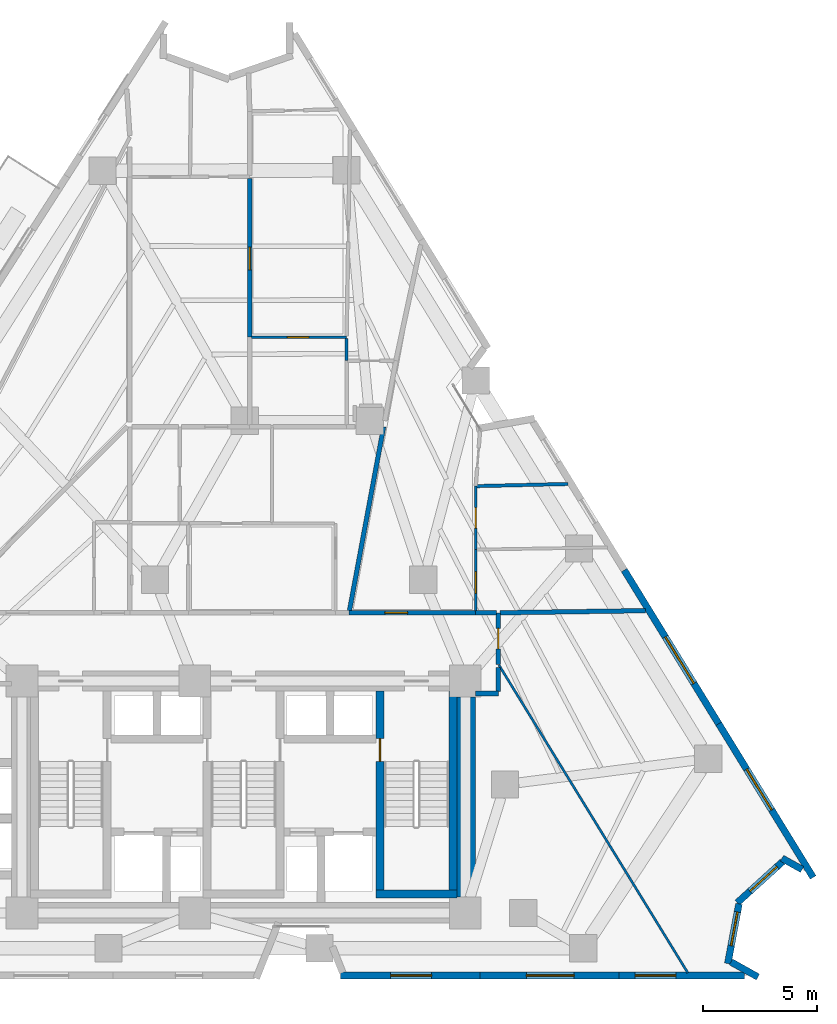
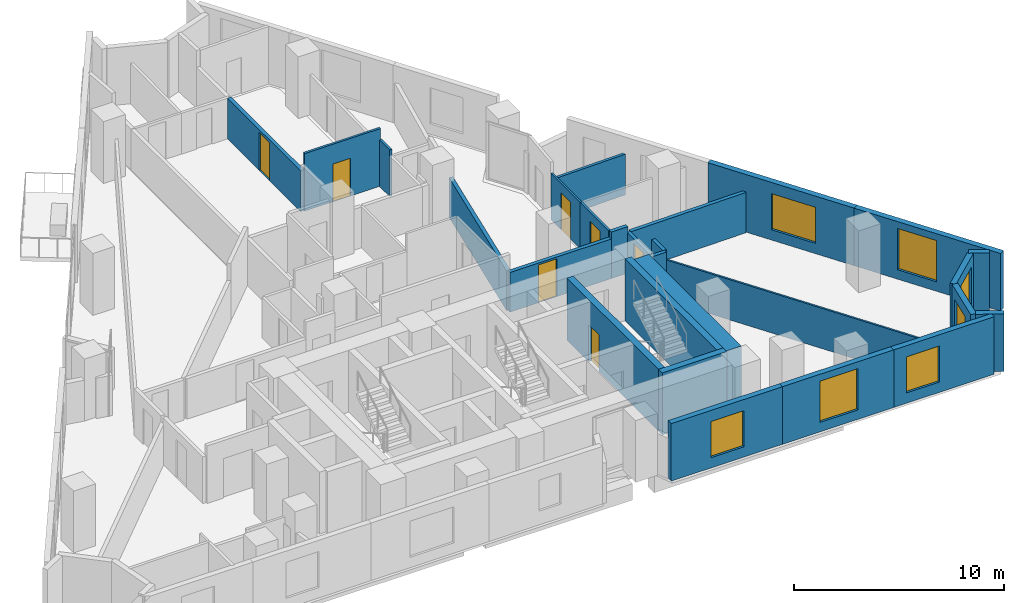
# One storey, part 8 of 13: 27 walls, 7 doors, 7 windows, 14 openings.
"""IFC4 building model written with IfcOpenShell, lengths in metres."""

from ifc_helpers import new_model, si_unit, direction, frame, frame_2d, origin, place, context, subcontext, project, spatial, rectangle, extrude, material, layer, layer_set, type_object, element, fill, save


model = new_model("IFC4")

# Units and contexts
model_context = context("Model", 3, precision=1e-05, world=origin(), true_north=direction((0.0, 1.0)))
body_context = subcontext(model_context, "Body", "Model", "MODEL_VIEW")
ifc_project = project(units=[si_unit("LENGTHUNIT", "METRE"), si_unit("AREAUNIT", "SQUARE_METRE"), si_unit("VOLUMEUNIT", "CUBIC_METRE"), si_unit("PLANEANGLEUNIT", "RADIAN"), si_unit("MASSUNIT", "GRAM", prefix="KILO")], contexts=[model_context])

# Site, building, storey
site_placement = place(None, origin())
site = spatial("IfcSite", under=ifc_project, at=site_placement, CompositionType="ELEMENT")
building_placement = place(site_placement, origin())
building = spatial("IfcBuilding", under=site, at=building_placement, Name="Almagre Mirador Tower", CompositionType="ELEMENT")
storey_placement = place(building_placement, frame((0.0, 0.0, 82.199951171875)))
storey = spatial("IfcBuildingStorey", under=building, at=storey_placement, Name="L20", CompositionType="ELEMENT", Elevation=82.199951171875)

# Wall, opening, window
ifc_material_1 = material(Name="Precast concrete C50/60", Category="concrete")
ifc_layer_1 = layer(ifc_material_1, 0.300048828125)
ifc_layer_set_1 = layer_set([ifc_layer_1], Name="Precast concrete C50/60")
wall_type_1 = type_object("IfcWallType", Name="WAL-EXT-300", PredefinedType="SOLIDWALL", material=ifc_layer_set_1)
wall_1_placement = place(storey_placement, frame((54.04052734375, 19.629150390625, 0.0), z_axis=(0.0, 0.0, 1.0), x_axis=(0.523661280051, -0.851926560083, 0.0)))
wall_1 = element("IfcWall", 1, at=wall_1_placement, inside=storey, type_object=wall_type_1, Name="L20 expressed almagre precast frame wall 16", PredefinedType="SOLIDWALL", context=body_context, shape_type="SweptSolid", body=[
    extrude(rectangle(XDim=7.93408203125, YDim=0.300048828125, at=frame_2d((3.967041015625, 0.0))), origin(), (0.0, 0.0, 1.0), 3.35009765625),
])
opening_1_placement = place(wall_1_placement, frame((3.449951171875, 0.0, 0.60009765625)))
opening_1 = element("IfcOpeningElement", 2, at=opening_1_placement, cuts=wall_1, Name="Opening WN-02", PredefinedType="OPENING", context=body_context, shape_type="SweptSolid", body=[
    extrude(rectangle(XDim=2.39990234375, YDim=2.10009765625, at=frame_2d((1.199951171875, 1.050048828125))), frame((0.0, 0.159902, 0.0), z_axis=(0.0, -1.0, 0.0), x_axis=(1.0, 0.0, 0.0)), (0.0, 0.0, 1.0), 0.320049),
])
ifc_material_2 = material(Name="Dark solar-control laminated hurricane glass", Category="glass")
window_type_1 = type_object("IfcWindowType", Name="WIN-2400X2100", PartitioningType="TRIPLE_PANEL_VERTICAL", PredefinedType="WINDOW", material=ifc_material_2)
window_1_placement = place(opening_1_placement, origin())
window_1 = element("IfcWindow", 3, at=window_1_placement, inside=storey, type_object=window_type_1, Name="L20 recessed hurricane window L20-RST-D", OverallHeight=2.10009765625, OverallWidth=2.39990234375, PartitioningType="SINGLE_PANEL", PredefinedType="WINDOW", context=body_context, shape_type="SweptSolid", body=[
    extrude(rectangle(XDim=2.39990234375, YDim=2.10009765625, at=frame_2d((1.199951171875, 1.050048828125))), frame((0.0, 0.030029296875, 0.0), z_axis=(0.0, -1.0, 0.0), x_axis=(1.0, 0.0, 0.0)), (0.0, 0.0, 1.0), 0.06005859375),
])
fill(opening_1, window_1)

wall_2_placement = place(storey_placement, frame((58.1953125, 12.869873046875, 0.0), z_axis=(0.0, 0.0, 1.0), x_axis=(0.52368361247, -0.851912832413, 0.0)))
wall_2 = element("IfcWall", 4, at=wall_2_placement, inside=storey, type_object=wall_type_1, Name="L20 expressed almagre precast frame wall 17", PredefinedType="SOLIDWALL", context=body_context, shape_type="SweptSolid", body=[
    extrude(rectangle(XDim=7.934326171875, YDim=0.300048828125, at=frame_2d((3.96728515625, 0.0))), origin(), (0.0, 0.0, 1.0), 3.35009765625),
])
opening_2_placement = place(wall_2_placement, frame((2.35009765625, 0.0, 0.550048828125)))
opening_2 = element("IfcOpeningElement", 5, at=opening_2_placement, cuts=wall_2, Name="Opening WN-05", PredefinedType="OPENING", context=body_context, shape_type="SweptSolid", body=[
    extrude(rectangle(XDim=2.10009765625, YDim=2.39990234375, at=frame_2d((1.050048828125, 1.199951171875))), frame((0.0, 0.159902, 0.0), z_axis=(0.0, -1.0, 0.0), x_axis=(1.0, 0.0, 0.0)), (0.0, 0.0, 1.0), 0.320049),
])
ifc_material_3 = material(Name="Dark solar-control laminated hurricane glass", Category="glass")
window_type_2 = type_object("IfcWindowType", Name="WIN-2100X2400", PartitioningType="DOUBLE_PANEL_VERTICAL", PredefinedType="WINDOW", material=ifc_material_3)
window_2_placement = place(opening_2_placement, origin())
window_2 = element("IfcWindow", 6, at=window_2_placement, inside=storey, type_object=window_type_2, Name="L20 recessed hurricane window L20-RST-D", OverallHeight=2.39990234375, OverallWidth=2.10009765625, PartitioningType="SINGLE_PANEL", PredefinedType="WINDOW", context=body_context, shape_type="SweptSolid", body=[
    extrude(rectangle(XDim=2.10009765625, YDim=2.39990234375, at=frame_2d((1.050048828125, 1.199951171875))), frame((0.0, 0.030029296875, 0.0), z_axis=(0.0, -1.0, 0.0), x_axis=(1.0, 0.0, 0.0)), (0.0, 0.0, 1.0), 0.06005859375),
])
fill(opening_2, window_2)

# Wall
wall_3_placement = place(storey_placement, frame((61.862548828125, 6.4619140625, 0.0), z_axis=(0.0, 0.0, 1.0), x_axis=(-0.872678236231, 0.488295705499, 0.0)))
element("IfcWall", 7, at=wall_3_placement, inside=storey, type_object=wall_type_1, Name="L20 expressed almagre precast frame wall 18", PredefinedType="SOLIDWALL", context=body_context, shape_type="SweptSolid", body=[
    extrude(rectangle(XDim=1.014892578125, YDim=0.300048828125, at=frame_2d((0.50732421875, 0.0))), origin(), (0.0, 0.0, 1.0), 3.35009765625),
])

# Wall, opening, window
wall_4_placement = place(storey_placement, frame((61.002685546875, 6.8017578125, 0.0), z_axis=(0.0, 0.0, 1.0), x_axis=(-0.741163448221, -0.671324618215, 0.0)))
wall_4 = element("IfcWall", 8, at=wall_4_placement, inside=storey, type_object=wall_type_1, Name="L20 expressed almagre precast frame wall 19", PredefinedType="SOLIDWALL", context=body_context, shape_type="SweptSolid", body=[
    extrude(rectangle(XDim=2.688232421875, YDim=0.300048828125, at=frame_2d((1.34423828125, 0.0))), origin(), (0.0, 0.0, 1.0), 3.35009765625),
])
opening_3_placement = place(wall_4_placement, frame((0.330078125, 0.0, 0.550048828125)))
opening_3 = element("IfcOpeningElement", 9, at=opening_3_placement, cuts=wall_4, Name="Opening WN-06", PredefinedType="OPENING", context=body_context, shape_type="SweptSolid", body=[
    extrude(rectangle(XDim=1.60009765625, YDim=2.199951171875, at=frame_2d((0.800048828125, 1.10009765625))), frame((0.0, 0.159902, 0.0), z_axis=(0.0, -1.0, 0.0), x_axis=(1.0, 0.0, 0.0)), (0.0, 0.0, 1.0), 0.320049),
])
ifc_material_4 = material(Name="Dark solar-control laminated hurricane glass", Category="glass")
window_type_3 = type_object("IfcWindowType", Name="WIN-1600X2200", PartitioningType="DOUBLE_PANEL_VERTICAL", PredefinedType="WINDOW", material=ifc_material_4)
window_3_placement = place(opening_3_placement, origin())
window_3 = element("IfcWindow", 10, at=window_3_placement, inside=storey, type_object=window_type_3, Name="L20 recessed hurricane window L20-RST-D", OverallHeight=2.199951171875, OverallWidth=1.60009765625, PartitioningType="SINGLE_PANEL", PredefinedType="WINDOW", context=body_context, shape_type="SweptSolid", body=[
    extrude(rectangle(XDim=1.60009765625, YDim=2.199951171875, at=frame_2d((0.800048828125, 1.10009765625))), frame((0.0, 0.030029296875, 0.0), z_axis=(0.0, -1.0, 0.0), x_axis=(1.0, 0.0, 0.0)), (0.0, 0.0, 1.0), 0.06005859375),
])
fill(opening_3, window_3)

wall_5_placement = place(storey_placement, frame((59.08740234375, 4.948486328125, 0.0), z_axis=(0.0, 0.0, 1.0), x_axis=(-0.183786629236, -0.982966161632, 0.0)))
wall_5 = element("IfcWall", 11, at=wall_5_placement, inside=storey, type_object=wall_type_1, Name="L20 expressed almagre precast frame wall 20", PredefinedType="SOLIDWALL", context=body_context, shape_type="SweptSolid", body=[
    extrude(rectangle(XDim=2.672607421875, YDim=0.300048828125, at=frame_2d((1.33642578125, 0.0))), origin(), (0.0, 0.0, 1.0), 3.35009765625),
])
opening_4_placement = place(wall_5_placement, frame((0.364990234375, 0.0, 0.60009765625)))
opening_4 = element("IfcOpeningElement", 12, at=opening_4_placement, cuts=wall_5, Name="Opening WN-03", PredefinedType="OPENING", context=body_context, shape_type="SweptSolid", body=[
    extrude(rectangle(XDim=1.5, YDim=2.10009765625, at=frame_2d((0.75, 1.050048828125))), frame((0.0, 0.159902, 0.0), z_axis=(0.0, -1.0, 0.0), x_axis=(1.0, 0.0, 0.0)), (0.0, 0.0, 1.0), 0.320049),
])
ifc_material_5 = material(Name="Dark solar-control laminated hurricane glass", Category="glass")
window_type_4 = type_object("IfcWindowType", Name="WIN-1500X2100", PartitioningType="DOUBLE_PANEL_VERTICAL", PredefinedType="WINDOW", material=ifc_material_5)
window_4_placement = place(opening_4_placement, origin())
window_4 = element("IfcWindow", 13, at=window_4_placement, inside=storey, type_object=window_type_4, Name="L20 recessed hurricane window L20-RST-D", OverallHeight=2.10009765625, OverallWidth=1.5, PartitioningType="SINGLE_PANEL", PredefinedType="WINDOW", context=body_context, shape_type="SweptSolid", body=[
    extrude(rectangle(XDim=1.5, YDim=2.10009765625, at=frame_2d((0.75, 1.050048828125))), frame((0.0, 0.030029296875, 0.0), z_axis=(0.0, -1.0, 0.0), x_axis=(1.0, 0.0, 0.0)), (0.0, 0.0, 1.0), 0.06005859375),
])
fill(opening_4, window_4)

# Wall
wall_6_placement = place(storey_placement, frame((58.7353515625, 2.3955078125, 0.0), z_axis=(0.0, 0.0, 1.0), x_axis=(0.872747775204, -0.488171405221, 0.0)))
element("IfcWall", 14, at=wall_6_placement, inside=storey, type_object=wall_type_1, Name="L20 expressed almagre precast frame wall 21", PredefinedType="SOLIDWALL", context=body_context, shape_type="SweptSolid", body=[
    extrude(rectangle(XDim=1.35986328125, YDim=0.300048828125, at=frame_2d((0.679931640625, 0.0))), origin(), (0.0, 0.0, 1.0), 3.35009765625),
])

# Wall, opening, window
wall_7_placement = place(storey_placement, frame((59.340087890625, 1.800048828125, 0.0), z_axis=(0.0, 0.0, 1.0), x_axis=(-1.0, 0.0, 0.0)))
wall_7 = element("IfcWall", 15, at=wall_7_placement, inside=storey, type_object=wall_type_1, Name="L20 expressed almagre precast frame wall 22", PredefinedType="SOLIDWALL", context=body_context, shape_type="SweptSolid", body=[
    extrude(rectangle(XDim=5.524169921875, YDim=0.300048828125, at=frame_2d((2.76220703125, 0.0))), origin(), (0.0, 0.0, 1.0), 3.35009765625),
])
opening_5_placement = place(wall_7_placement, frame((3.02490234375, 0.0, 0.60009765625)))
opening_5 = element("IfcOpeningElement", 16, at=opening_5_placement, cuts=wall_7, Name="Opening WN-01", PredefinedType="OPENING", context=body_context, shape_type="SweptSolid", body=[
    extrude(rectangle(XDim=1.800048828125, YDim=2.10009765625, at=frame_2d((0.89990234375, 1.050048828125))), frame((0.0, 0.159902, 0.0), z_axis=(0.0, -1.0, 0.0), x_axis=(1.0, 0.0, 0.0)), (0.0, 0.0, 1.0), 0.320049),
])
ifc_material_6 = material(Name="Dark solar-control laminated hurricane glass", Category="glass")
window_type_5 = type_object("IfcWindowType", Name="WIN-1800X2100", PartitioningType="DOUBLE_PANEL_VERTICAL", PredefinedType="WINDOW", material=ifc_material_6)
window_5_placement = place(opening_5_placement, origin())
window_5 = element("IfcWindow", 17, at=window_5_placement, inside=storey, type_object=window_type_5, Name="L20 recessed hurricane window L20-RST-C", OverallHeight=2.10009765625, OverallWidth=1.800048828125, PartitioningType="SINGLE_PANEL", PredefinedType="WINDOW", context=body_context, shape_type="SweptSolid", body=[
    extrude(rectangle(XDim=1.800048828125, YDim=2.10009765625, at=frame_2d((0.89990234375, 1.050048828125))), frame((0.0, 0.030029296875, 0.0), z_axis=(0.0, -1.0, 0.0), x_axis=(1.0, 0.0, 0.0)), (0.0, 0.0, 1.0), 0.06005859375),
])
fill(opening_5, window_5)

wall_8_placement = place(storey_placement, frame((53.81591796875, 1.800048828125, 0.0), z_axis=(0.0, 0.0, 1.0), x_axis=(-1.0, 0.0, 0.0)))
wall_8 = element("IfcWall", 18, at=wall_8_placement, inside=storey, type_object=wall_type_1, Name="L20 expressed almagre precast frame wall 23", PredefinedType="SOLIDWALL", context=body_context, shape_type="SweptSolid", body=[
    extrude(rectangle(XDim=6.1240234375, YDim=0.300048828125, at=frame_2d((3.06201171875, 0.0))), origin(), (0.0, 0.0, 1.0), 3.35009765625),
])
opening_6_placement = place(wall_8_placement, frame((1.97509765625, 0.0, 0.550048828125)))
opening_6 = element("IfcOpeningElement", 19, at=opening_6_placement, cuts=wall_8, Name="Opening WN-05", PredefinedType="OPENING", context=body_context, shape_type="SweptSolid", body=[
    extrude(rectangle(XDim=2.10009765625, YDim=2.39990234375, at=frame_2d((1.050048828125, 1.199951171875))), frame((0.0, 0.159902, 0.0), z_axis=(0.0, -1.0, 0.0), x_axis=(1.0, 0.0, 0.0)), (0.0, 0.0, 1.0), 0.320049),
])
window_6_placement = place(opening_6_placement, origin())
window_6 = element("IfcWindow", 20, at=window_6_placement, inside=storey, type_object=window_type_2, Name="L20 recessed hurricane window L20-RST-C", OverallHeight=2.39990234375, OverallWidth=2.10009765625, PartitioningType="SINGLE_PANEL", PredefinedType="WINDOW", context=body_context, shape_type="SweptSolid", body=[
    extrude(rectangle(XDim=2.10009765625, YDim=2.39990234375, at=frame_2d((1.050048828125, 1.199951171875))), frame((0.0, 0.030029296875, 0.0), z_axis=(0.0, -1.0, 0.0), x_axis=(1.0, 0.0, 0.0)), (0.0, 0.0, 1.0), 0.06005859375),
])
fill(opening_6, window_6)

wall_9_placement = place(storey_placement, frame((47.69189453125, 1.800048828125, 0.0), z_axis=(0.0, 0.0, 1.0), x_axis=(-1.0, 0.0, 0.0)))
wall_9 = element("IfcWall", 21, at=wall_9_placement, inside=storey, type_object=wall_type_1, Name="L20 expressed almagre precast frame wall 24", PredefinedType="SOLIDWALL", context=body_context, shape_type="SweptSolid", body=[
    extrude(rectangle(XDim=6.123779296875, YDim=0.300048828125, at=frame_2d((3.06201171875, 0.0))), origin(), (0.0, 0.0, 1.0), 3.35009765625),
])
opening_7_placement = place(wall_9_placement, frame((2.125, 0.0, 0.60009765625)))
opening_7 = element("IfcOpeningElement", 22, at=opening_7_placement, cuts=wall_9, Name="Opening WN-01", PredefinedType="OPENING", context=body_context, shape_type="SweptSolid", body=[
    extrude(rectangle(XDim=1.800048828125, YDim=2.10009765625, at=frame_2d((0.89990234375, 1.050048828125))), frame((0.0, 0.159902, 0.0), z_axis=(0.0, -1.0, 0.0), x_axis=(1.0, 0.0, 0.0)), (0.0, 0.0, 1.0), 0.320049),
])
window_7_placement = place(opening_7_placement, origin())
window_7 = element("IfcWindow", 23, at=window_7_placement, inside=storey, type_object=window_type_5, Name="L20 recessed hurricane window L20-RST-C", OverallHeight=2.10009765625, OverallWidth=1.800048828125, PartitioningType="SINGLE_PANEL", PredefinedType="WINDOW", context=body_context, shape_type="SweptSolid", body=[
    extrude(rectangle(XDim=1.800048828125, YDim=2.10009765625, at=frame_2d((0.89990234375, 1.050048828125))), frame((0.0, 0.030029296875, 0.0), z_axis=(0.0, -1.0, 0.0), x_axis=(1.0, 0.0, 0.0)), (0.0, 0.0, 1.0), 0.06005859375),
])
fill(opening_7, window_7)

# Wall
ifc_material_7 = material(Name="Gypsum acoustic stud partition", Category="other")
ifc_layer_2 = layer(ifc_material_7, 0.10009765625)
ifc_layer_set_2 = layer_set([ifc_layer_2], Name="Gypsum acoustic stud partition")
wall_type_2 = type_object("IfcWallType", Name="WAL-PRT-100-CLS", PredefinedType="PARTITIONING", material=ifc_layer_set_2)
wall_10_placement = place(storey_placement, frame((48.52880859375, 15.453125, 0.0), z_axis=(0.0, 0.0, 1.0), x_axis=(0.52306290803, -0.852294077325, 0.0)))
element("IfcWall", 24, at=wall_10_placement, inside=storey, type_object=wall_type_2, Name="L20 interior partition 023", PredefinedType="PARTITIONING", context=body_context, shape_type="SweptSolid", body=[
    extrude(rectangle(XDim=15.885498046875, YDim=0.10009765625, at=frame_2d((7.94287109375, 0.0))), origin(), (0.0, 0.0, 1.0), 2.344970703125),
])

# Wall, opening, door
wall_11_placement = place(storey_placement, frame((47.510009765625, 20.530029296875, 0.0), z_axis=(0.0, 0.0, 1.0), x_axis=(0.0, 1.0, 0.0)))
wall_11 = element("IfcWall", 25, at=wall_11_placement, inside=storey, type_object=wall_type_2, Name="L20 interior partition 053", PredefinedType="PARTITIONING", context=body_context, shape_type="SweptSolid", body=[
    extrude(rectangle(XDim=2.7900390625, YDim=0.10009765625, at=frame_2d((1.39501953125, 0.0))), origin(), (0.0, 0.0, 1.0), 2.708984375),
])
opening_8_placement = place(wall_11_placement, frame((0.945068359375, 0.0, 0.0)))
opening_8 = element("IfcOpeningElement", 26, at=opening_8_placement, cuts=wall_11, Name="Opening UD-02", PredefinedType="OPENING", context=body_context, shape_type="SweptSolid", body=[
    extrude(rectangle(XDim=0.89990234375, YDim=2.14990234375, at=frame_2d((0.449951171875, 1.074951171875))), frame((0.0, 0.060049, 0.0), z_axis=(0.0, -1.0, 0.0), x_axis=(1.0, 0.0, 0.0)), (0.0, 0.0, 1.0), 0.120098),
])
ifc_material_8 = material(Name="Solid American walnut timber", Category="wood")
door_type_1 = type_object("IfcDoorType", Name="DOR-UNR-900X2150", OperationType="NOTDEFINED", PredefinedType="DOOR", material=ifc_material_8)
door_1_placement = place(opening_8_placement, origin())
door_1 = element("IfcDoor", 27, at=door_1_placement, inside=storey, type_object=door_type_1, Name="DR-0695 L20 interior door L20-UJ-LV to L20-UJ-MB", OperationType="SINGLE_SWING_LEFT", OverallHeight=2.14990234375, OverallWidth=0.89990234375, PredefinedType="DOOR", context=body_context, shape_type="SweptSolid", body=[
    extrude(rectangle(XDim=0.89990234375, YDim=2.14990234375, at=frame_2d((0.449951171875, 1.074951171875))), frame((0.0, 0.02490234375, 0.0), z_axis=(0.0, -1.0, 0.0), x_axis=(1.0, 0.0, 0.0)), (0.0, 0.0, 1.0), 0.050048828125),
])
fill(opening_8, door_1)

ifc_material_9 = material(Name="Gypsum acoustic stud partition", Category="other")
ifc_layer_3 = layer(ifc_material_9, 0.125)
ifc_layer_set_3 = layer_set([ifc_layer_3], Name="Gypsum acoustic stud partition")
wall_type_3 = type_object("IfcWallType", Name="WAL-PRT-125-UTL", PredefinedType="PARTITIONING", material=ifc_layer_set_3)
wall_12_placement = place(storey_placement, frame((47.510009765625, 17.8349609375, 0.0), z_axis=(0.0, 0.0, 1.0), x_axis=(0.0, 1.0, 0.0)))
wall_12 = element("IfcWall", 28, at=wall_12_placement, inside=storey, type_object=wall_type_3, Name="L20 interior partition 052", PredefinedType="PARTITIONING", context=body_context, shape_type="SweptSolid", body=[
    extrude(rectangle(XDim=2.695068359375, YDim=0.125, at=frame_2d((1.34765625, 0.0))), origin(), (0.0, 0.0, 1.0), 2.708984375),
])
opening_9_placement = place(wall_12_placement, frame((0.7705078125, 0.0, 0.0)))
opening_9 = element("IfcOpeningElement", 29, at=opening_9_placement, cuts=wall_12, Name="Opening UD-01", PredefinedType="OPENING", context=body_context, shape_type="SweptSolid", body=[
    extrude(rectangle(XDim=0.949951171875, YDim=2.199951171875, at=frame_2d((0.47509765625, 1.10009765625))), frame((0.0, 0.0725, 0.0), z_axis=(0.0, -1.0, 0.0), x_axis=(1.0, 0.0, 0.0)), (0.0, 0.0, 1.0), 0.145),
])
ifc_material_10 = material(Name="Solid American walnut timber", Category="wood")
door_type_2 = type_object("IfcDoorType", Name="DOR-UNR-950X2200", OperationType="NOTDEFINED", PredefinedType="DOOR", material=ifc_material_10)
door_2_placement = place(opening_9_placement, origin())
door_2 = element("IfcDoor", 30, at=door_2_placement, inside=storey, type_object=door_type_2, Name="DR-0693 L20 interior door L20-UJ-LV to L20-UJ-KT", OperationType="SINGLE_SWING_LEFT", OverallHeight=2.199951171875, OverallWidth=0.949951171875, PredefinedType="DOOR", context=body_context, shape_type="SweptSolid", body=[
    extrude(rectangle(XDim=0.949951171875, YDim=2.199951171875, at=frame_2d((0.47509765625, 1.10009765625))), frame((0.0, 0.02490234375, 0.0), z_axis=(0.0, -1.0, 0.0), x_axis=(1.0, 0.0, 0.0)), (0.0, 0.0, 1.0), 0.050048828125),
])
fill(opening_9, door_2)

wall_13_placement = place(storey_placement, frame((37.655029296875, 29.8701171875, 0.0), z_axis=(0.0, 0.0, 1.0), x_axis=(1.0, 0.0, 0.0)))
wall_13 = element("IfcWall", 31, at=wall_13_placement, inside=storey, type_object=wall_type_3, Name="L20 interior partition 066", PredefinedType="PARTITIONING", context=body_context, shape_type="SweptSolid", body=[
    extrude(rectangle(XDim=4.175048828125, YDim=0.125, at=frame_2d((2.08740234375, 0.0))), origin(), (0.0, 0.0, 1.0), 3.35009765625),
])
opening_10_placement = place(wall_13_placement, frame((1.570068359375, 0.0, 0.0)))
opening_10 = element("IfcOpeningElement", 32, at=opening_10_placement, cuts=wall_13, Name="Opening UD-01", PredefinedType="OPENING", context=body_context, shape_type="SweptSolid", body=[
    extrude(rectangle(XDim=0.949951171875, YDim=2.199951171875, at=frame_2d((0.47509765625, 1.10009765625))), frame((0.0, 0.0725, 0.0), z_axis=(0.0, -1.0, 0.0), x_axis=(1.0, 0.0, 0.0)), (0.0, 0.0, 1.0), 0.145),
])
door_3_placement = place(opening_10_placement, origin())
door_3 = element("IfcDoor", 33, at=door_3_placement, inside=storey, type_object=door_type_2, Name="DR-0698 L20 interior door L20-UL-LV to L20-UL-KT", OperationType="SINGLE_SWING_RIGHT", OverallHeight=2.199951171875, OverallWidth=0.949951171875, PredefinedType="DOOR", context=body_context, shape_type="SweptSolid", body=[
    extrude(rectangle(XDim=0.949951171875, YDim=2.199951171875, at=frame_2d((0.47509765625, 1.10009765625))), frame((0.0, 0.02490234375, 0.0), z_axis=(0.0, -1.0, 0.0), x_axis=(1.0, 0.0, 0.0)), (0.0, 0.0, 1.0), 0.050048828125),
])
fill(opening_10, door_3)

# Walls
wall_14_placement = place(storey_placement, frame((41.830078125, 28.840087890625, 0.0), z_axis=(0.0, 0.0, 1.0), x_axis=(0.0, 1.0, 0.0)))
element("IfcWall", 34, at=wall_14_placement, inside=storey, type_object=wall_type_3, Name="L20 interior partition 068", PredefinedType="PARTITIONING", context=body_context, shape_type="SweptSolid", body=[
    extrude(rectangle(XDim=0.982421875, YDim=0.125, at=frame_2d((0.4912109375, 0.0))), origin(), (0.0, 0.0, 1.0), 2.708984375),
])
ifc_material_11 = material(Name="Gypsum acoustic stud partition", Category="other")
ifc_layer_4 = layer(ifc_material_11, 0.14990234375)
ifc_layer_set_4 = layer_set([ifc_layer_4], Name="Gypsum acoustic stud partition")
wall_type_4 = type_object("IfcWallType", Name="WAL-PRT-150-STD", PredefinedType="PARTITIONING", material=ifc_layer_set_4)
wall_15_placement = place(storey_placement, frame((47.570068359375, 23.3212890625, 0.0), z_axis=(0.0, 0.0, 1.0), x_axis=(0.999720663017, 0.023634634246, 0.0)))
element("IfcWall", 35, at=wall_15_placement, inside=storey, type_object=wall_type_4, Name="L20 interior partition 056", PredefinedType="PARTITIONING", context=body_context, shape_type="SweptSolid", body=[
    extrude(rectangle(XDim=4.008056640625, YDim=0.14990234375, at=frame_2d((2.00390625, 0.0))), origin(), (0.0, 0.0, 1.0), 2.3701171875),
])
ifc_material_12 = material(Name="Gypsum acoustic stud partition", Category="other")
ifc_layer_5 = layer(ifc_material_12, 0.199951171875)
ifc_layer_set_5 = layer_set([ifc_layer_5], Name="Gypsum acoustic stud partition")
wall_type_5 = type_object("IfcWallType", Name="WAL-PRT-200-EI60", PredefinedType="PARTITIONING", material=ifc_layer_set_5)
wall_16_placement = place(storey_placement, frame((47.5, 14.199951171875, 0.0), z_axis=(0.0, 0.0, 1.0), x_axis=(1.0, 0.0, 0.0)))
element("IfcWall", 36, at=wall_16_placement, inside=storey, type_object=wall_type_5, Name="L20 interior partition 003", PredefinedType="PARTITIONING", context=body_context, shape_type="SweptSolid", body=[
    extrude(rectangle(XDim=1.0, YDim=0.199951171875, at=frame_2d((0.5, 0.0))), origin(), (0.0, 0.0, 1.0), 3.35009765625),
])
wall_17_placement = place(storey_placement, frame((48.5, 14.284912109375, 0.0), z_axis=(0.0, 0.0, 1.0), x_axis=(0.0, 1.0, 0.0)))
element("IfcWall", 37, at=wall_17_placement, inside=storey, type_object=wall_type_5, Name="L20 interior partition 004", PredefinedType="PARTITIONING", context=body_context, shape_type="SweptSolid", body=[
    extrude(rectangle(XDim=1.065185546875, YDim=0.199951171875, at=frame_2d((0.53271484375, 0.0))), origin(), (0.0, 0.0, 1.0), 3.35009765625),
])

# Wall, opening, door
wall_18_placement = place(storey_placement, frame((48.5, 15.469970703125, 0.0), z_axis=(0.0, 0.0, 1.0), x_axis=(0.0, 1.0, 0.0)))
wall_18 = element("IfcWall", 38, at=wall_18_placement, inside=storey, type_object=wall_type_5, Name="L20 interior partition 005", PredefinedType="PARTITIONING", context=body_context, shape_type="SweptSolid", body=[
    extrude(rectangle(XDim=2.280029296875, YDim=0.199951171875, at=frame_2d((1.14013671875, 0.0))), origin(), (0.0, 0.0, 1.0), 2.344970703125),
])
opening_11_placement = place(wall_18_placement, frame((0.68994140625, 0.0, 0.0)))
opening_11 = element("IfcOpeningElement", 39, at=opening_11_placement, cuts=wall_18, Name="Opening ID-03", PredefinedType="OPENING", context=body_context, shape_type="SweptSolid", body=[
    extrude(rectangle(XDim=0.89990234375, YDim=2.10009765625, at=frame_2d((0.449951171875, 1.050048828125))), frame((0.0, 0.110098, 0.0), z_axis=(0.0, -1.0, 0.0), x_axis=(1.0, 0.0, 0.0)), (0.0, 0.0, 1.0), 0.219951),
])
ifc_material_13 = material(Name="Fire-rated hollow steel", Category="steel")
door_type_3 = type_object("IfcDoorType", Name="DOR-FD60-900X2100", OperationType="NOTDEFINED", PredefinedType="DOOR", material=ifc_material_13)
door_4_placement = place(opening_11_placement, origin())
door_4 = element("IfcDoor", 40, at=door_4_placement, inside=storey, type_object=door_type_3, Name="DR-0681 L20 interior door L20-RCOR to L20-RST-D", OperationType="SINGLE_SWING_LEFT", OverallHeight=2.10009765625, OverallWidth=0.89990234375, PredefinedType="DOOR", context=body_context, shape_type="SweptSolid", body=[
    extrude(rectangle(XDim=0.89990234375, YDim=2.10009765625, at=frame_2d((0.449951171875, 1.050048828125))), frame((0.0, 0.02490234375, 0.0), z_axis=(0.0, -1.0, 0.0), x_axis=(1.0, 0.0, 0.0)), (0.0, 0.0, 1.0), 0.050048828125),
])
fill(opening_11, door_4)

wall_19_placement = place(storey_placement, frame((47.510009765625, 17.75, 0.0), z_axis=(0.0, 0.0, 1.0), x_axis=(-1.0, 0.0, 0.0)))
wall_19 = element("IfcWall", 41, at=wall_19_placement, inside=storey, type_object=wall_type_5, Name="L20 interior partition 013", PredefinedType="PARTITIONING", context=body_context, shape_type="SweptSolid", body=[
    extrude(rectangle(XDim=5.570068359375, YDim=0.199951171875, at=frame_2d((2.78515625, 0.0))), origin(), (0.0, 0.0, 1.0), 2.30908203125),
])
opening_12_placement = place(wall_19_placement, frame((3.0, 0.0, 0.0)))
opening_12 = element("IfcOpeningElement", 42, at=opening_12_placement, cuts=wall_19, Name="Opening ID-01", PredefinedType="OPENING", context=body_context, shape_type="SweptSolid", body=[
    extrude(rectangle(XDim=1.0, YDim=2.199951171875, at=frame_2d((0.5, 1.10009765625))), frame((0.0, 0.110098, 0.0), z_axis=(0.0, -1.0, 0.0), x_axis=(1.0, 0.0, 0.0)), (0.0, 0.0, 1.0), 0.219951),
])
ifc_material_14 = material(Name="Fire-rated walnut timber", Category="wood")
door_type_4 = type_object("IfcDoorType", Name="DOR-FD60-1000X2200", OperationType="NOTDEFINED", PredefinedType="DOOR", material=ifc_material_14)
door_5_placement = place(opening_12_placement, origin())
door_5 = element("IfcDoor", 43, at=door_5_placement, inside=storey, type_object=door_type_4, Name="DR-0692 L20 interior door L20-RCOR to L20-UJ-LV", OperationType="SINGLE_SWING_RIGHT", OverallHeight=2.199951171875, OverallWidth=1.0, PredefinedType="DOOR", context=body_context, shape_type="SweptSolid", body=[
    extrude(rectangle(XDim=1.0, YDim=2.199951171875, at=frame_2d((0.5, 1.10009765625))), frame((0.0, 0.02490234375, 0.0), z_axis=(0.0, -1.0, 0.0), x_axis=(1.0, 0.0, 0.0)), (0.0, 0.0, 1.0), 0.050048828125),
])
fill(opening_12, door_5)

# Walls
wall_20_placement = place(storey_placement, frame((48.4150390625, 17.75, 0.0), z_axis=(0.0, 0.0, 1.0), x_axis=(-1.0, 0.0, 0.0)))
element("IfcWall", 44, at=wall_20_placement, inside=storey, type_object=wall_type_5, Name="L20 interior partition 014", PredefinedType="PARTITIONING", context=body_context, shape_type="SweptSolid", body=[
    extrude(rectangle(XDim=0.905029296875, YDim=0.199951171875, at=frame_2d((0.45263671875, 0.0))), origin(), (0.0, 0.0, 1.0), 2.708984375),
])
wall_21_placement = place(storey_placement, frame((54.98291015625, 17.843994140625, 0.0), z_axis=(0.0, 0.0, 1.0), x_axis=(-0.999894330503, -0.014537118977, 0.0)))
element("IfcWall", 45, at=wall_21_placement, inside=storey, type_object=wall_type_5, Name="L20 interior partition 024", PredefinedType="PARTITIONING", context=body_context, shape_type="SweptSolid", body=[
    extrude(rectangle(XDim=6.398681640625, YDim=0.199951171875, at=frame_2d((3.19921875, 0.0))), origin(), (0.0, 0.0, 1.0), 2.344970703125),
])
wall_22_placement = place(storey_placement, frame((41.95556640625, 17.83349609375, 0.0), z_axis=(0.0, 0.0, 1.0), x_axis=(0.182682671213, 0.98317192883, 0.0)))
element("IfcWall", 46, at=wall_22_placement, inside=storey, type_object=wall_type_5, Name="L20 interior partition 044", PredefinedType="PARTITIONING", context=body_context, shape_type="SweptSolid", body=[
    extrude(rectangle(XDim=8.235107421875, YDim=0.199951171875, at=frame_2d((4.11767578125, 0.0))), origin(), (0.0, 0.0, 1.0), 2.30908203125),
])

# Wall, opening, door
wall_23_placement = place(storey_placement, frame((37.570068359375, 29.8701171875, 0.0), z_axis=(0.0, 0.0, 1.0), x_axis=(0.0, 1.0, 0.0)))
wall_23 = element("IfcWall", 47, at=wall_23_placement, inside=storey, type_object=wall_type_5, Name="L20 interior partition 060", PredefinedType="PARTITIONING", context=body_context, shape_type="SweptSolid", body=[
    extrude(rectangle(XDim=6.989990234375, YDim=0.199951171875, at=frame_2d((3.4951171875, 0.0))), origin(), (0.0, 0.0, 1.0), 2.3701171875),
])
opening_13_placement = place(wall_23_placement, frame((2.966064453125, 0.0, 0.0)))
opening_13 = element("IfcOpeningElement", 48, at=opening_13_placement, cuts=wall_23, Name="Opening ID-01", PredefinedType="OPENING", context=body_context, shape_type="SweptSolid", body=[
    extrude(rectangle(XDim=1.0, YDim=2.199951171875, at=frame_2d((0.5, 1.10009765625))), frame((0.0, 0.110098, 0.0), z_axis=(0.0, -1.0, 0.0), x_axis=(1.0, 0.0, 0.0)), (0.0, 0.0, 1.0), 0.219951),
])
door_6_placement = place(opening_13_placement, origin())
door_6 = element("IfcDoor", 49, at=door_6_placement, inside=storey, type_object=door_type_4, Name="DR-0703 L20 interior door L20-UK-ST to L20-UL-LV", OperationType="SINGLE_SWING_LEFT", OverallHeight=2.199951171875, OverallWidth=1.0, PredefinedType="DOOR", context=body_context, shape_type="SweptSolid", body=[
    extrude(rectangle(XDim=1.0, YDim=2.199951171875, at=frame_2d((0.5, 1.10009765625))), frame((0.0, 0.02490234375, 0.0), z_axis=(0.0, -1.0, 0.0), x_axis=(1.0, 0.0, 0.0)), (0.0, 0.0, 1.0), 0.050048828125),
])
fill(opening_13, door_6)

ifc_material_15 = material(Name="Concrete C60/75", Category="concrete")
ifc_layer_6 = layer(ifc_material_15, 0.35009765625)
ifc_layer_set_6 = layer_set([ifc_layer_6], Name="Concrete C60/75")
wall_type_6 = type_object("IfcWallType", Name="WAL-SHF-350", PredefinedType="SOLIDWALL", material=ifc_layer_set_6)
wall_24_placement = place(storey_placement, frame((43.300048828125, 5.199951171875, 0.0), z_axis=(0.0, 0.0, 1.0), x_axis=(0.0, 1.0, 0.0)))
wall_24 = element("IfcWall", 50, at=wall_24_placement, inside=storey, type_object=wall_type_6, Name="L20 shaft wall ST3-W", PredefinedType="SOLIDWALL", context=body_context, shape_type="SweptSolid", body=[
    extrude(rectangle(XDim=9.10009765625, YDim=0.35009765625, at=frame_2d((4.550048828125, 0.0))), origin(), (0.0, 0.0, 1.0), 3.60009765625),
])
opening_14_placement = place(wall_24_placement, frame((6.02001953125, 0.0, 0.0)))
opening_14 = element("IfcOpeningElement", 51, at=opening_14_placement, cuts=wall_24, Name="Opening FD-01", PredefinedType="OPENING", context=body_context, shape_type="SweptSolid", body=[
    extrude(rectangle(XDim=1.0, YDim=2.14990234375, at=frame_2d((0.5, 1.074951171875))), frame((0.0, 0.185049, 0.0), z_axis=(0.0, -1.0, 0.0), x_axis=(1.0, 0.0, 0.0)), (0.0, 0.0, 1.0), 0.370098),
])
ifc_material_16 = material(Name="Fire-rated hollow steel", Category="steel")
door_type_5 = type_object("IfcDoorType", Name="DOR-FFL-1000X2150", OperationType="NOTDEFINED", PredefinedType="DOOR", material=ifc_material_16)
door_7_placement = place(opening_14_placement, origin())
door_7 = element("IfcDoor", 52, at=door_7_placement, inside=storey, type_object=door_type_5, Name="DR-0679 L20 FFL2-ST3 smokeproof door", OperationType="SINGLE_SWING_LEFT", OverallHeight=2.14990234375, OverallWidth=1.0, PredefinedType="DOOR", context=body_context, shape_type="SweptSolid", body=[
    extrude(rectangle(XDim=1.0, YDim=2.14990234375, at=frame_2d((0.5, 1.074951171875))), frame((0.0, 0.02490234375, 0.0), z_axis=(0.0, -1.0, 0.0), x_axis=(1.0, 0.0, 0.0)), (0.0, 0.0, 1.0), 0.050048828125),
])
fill(opening_14, door_7)

# Walls
wall_25_placement = place(storey_placement, frame((46.5, 5.199951171875, 0.0), z_axis=(0.0, 0.0, 1.0), x_axis=(0.0, 1.0, 0.0)))
element("IfcWall", 53, at=wall_25_placement, inside=storey, type_object=wall_type_6, Name="L20 shaft wall ST3-E", PredefinedType="SOLIDWALL", context=body_context, shape_type="SweptSolid", body=[
    extrude(rectangle(XDim=9.10009765625, YDim=0.35009765625, at=frame_2d((4.550048828125, 0.0))), origin(), (0.0, 0.0, 1.0), 3.60009765625),
])
wall_26_placement = place(storey_placement, frame((43.125, 5.375, 0.0), z_axis=(0.0, 0.0, 1.0), x_axis=(1.0, 0.0, 0.0)))
element("IfcWall", 54, at=wall_26_placement, inside=storey, type_object=wall_type_6, Name="L20 shaft wall ST3-S", PredefinedType="SOLIDWALL", context=body_context, shape_type="SweptSolid", body=[
    extrude(rectangle(XDim=3.550048828125, YDim=0.35009765625, at=frame_2d((1.77490234375, 0.0))), origin(), (0.0, 0.0, 1.0), 3.60009765625),
])
ifc_material_17 = material(Name="Concrete C70/85", Category="concrete")
ifc_layer_7 = layer(ifc_material_17, 0.89990234375)
ifc_layer_set_7 = layer_set([ifc_layer_7], Name="Concrete C70/85")
wall_type_7 = type_object("IfcWallType", Name="WAL-SHR-900", PredefinedType="SHEAR", material=ifc_layer_set_7)
wall_27_placement = place(storey_placement, frame((47.050048828125, 5.25, 0.0), z_axis=(0.0, 0.0, 1.0), x_axis=(0.0, 1.0, 0.0)))
element("IfcWall", 55, at=wall_27_placement, inside=storey, type_object=wall_type_7, Name="L20 core shear wall E1", PredefinedType="SHEAR", context=body_context, shape_type="SweptSolid", body=[
    extrude(rectangle(XDim=8.800048828125, YDim=0.89990234375, at=frame_2d((4.39990234375, 0.0))), origin(), (0.0, 0.0, 1.0), 3.60009765625),
])

save(model, "model.ifc")
